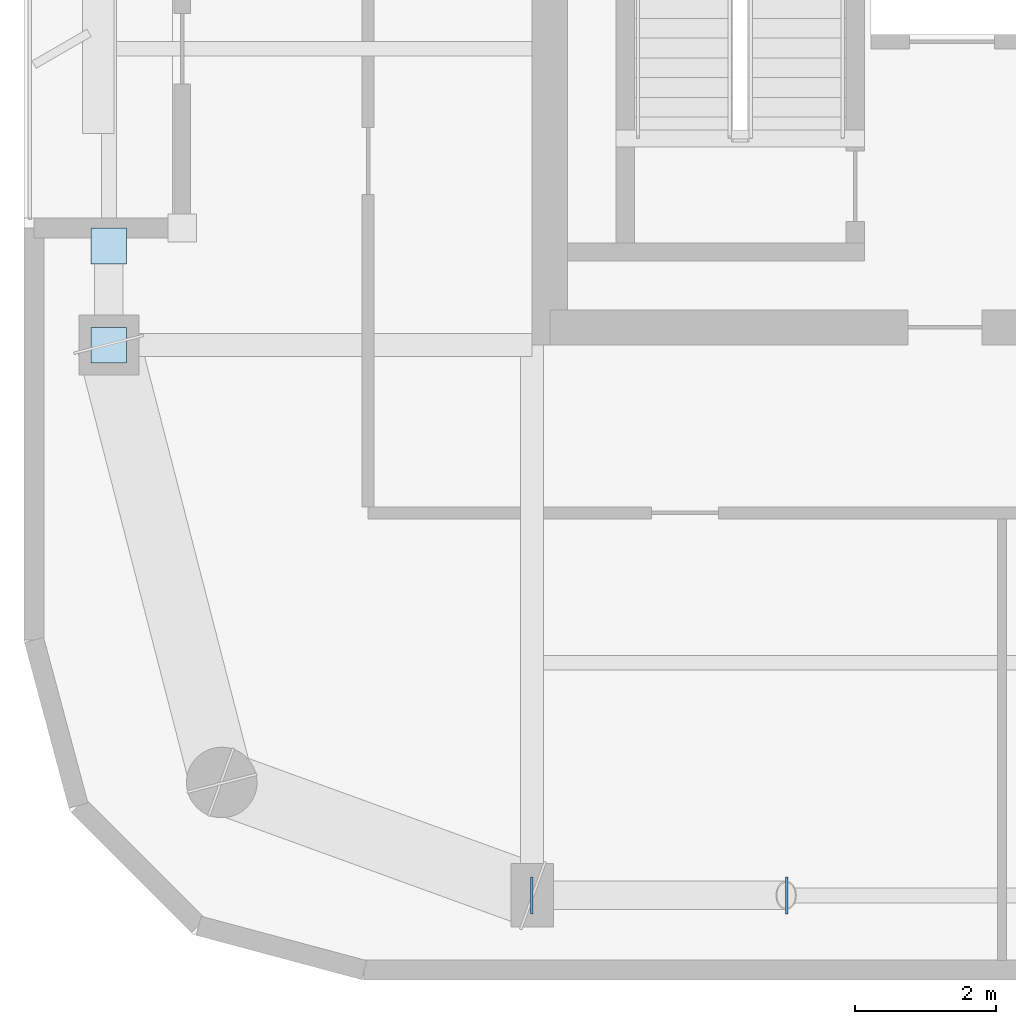
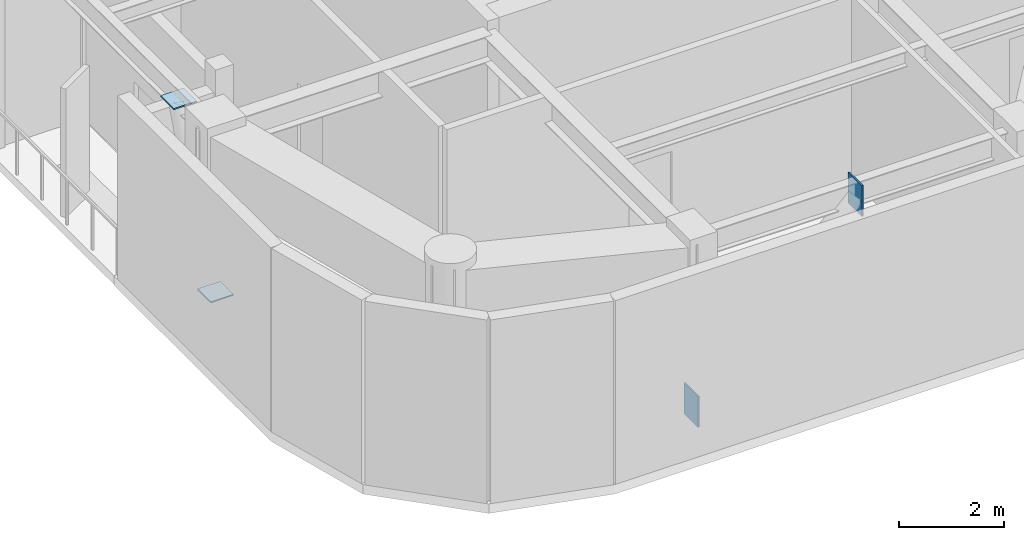
# One storey, part 8 of 16: 4 plates.
"""IFC4 building model written with IfcOpenShell, lengths in metres."""

from ifc_helpers import new_model, si_unit, direction, frame, origin, origin_2d, place, context, subcontext, project, spatial, rectangle, extrude, material, layer, layer_set, type_object, element, save


model = new_model("IFC4")

# Units and contexts
model_context = context("Model", 3, precision=1e-05, world=origin(), true_north=direction((0.0, 1.0)))
body_context = subcontext(model_context, "Body", "Model", "MODEL_VIEW")
ifc_project = project(units=[si_unit("LENGTHUNIT", "METRE"), si_unit("AREAUNIT", "SQUARE_METRE"), si_unit("VOLUMEUNIT", "CUBIC_METRE"), si_unit("PLANEANGLEUNIT", "RADIAN"), si_unit("MASSUNIT", "GRAM", prefix="KILO")], contexts=[model_context])

# Site, building, storey
site_placement = place(None, origin())
site = spatial("IfcSite", under=ifc_project, at=site_placement, CompositionType="ELEMENT")
building_placement = place(site_placement, origin())
building = spatial("IfcBuilding", under=site, at=building_placement, Name="Kiyonajd Concourse Tower", CompositionType="ELEMENT")
storey_placement = place(building_placement, frame((0.0, 0.0, 337.5)))
storey = spatial("IfcBuildingStorey", under=building, at=storey_placement, Name="L85", CompositionType="ELEMENT", Elevation=337.5)

# Plates
ifc_material = material(Name="Steel ASTM A572 Grade 50", Category="steel")
ifc_layer = layer(ifc_material, 0.028076171875)
ifc_layer_set = layer_set([ifc_layer], Name="Steel ASTM A572 Grade 50")
plate_type = type_object("IfcPlateType", Name="PL-CAP-450", PredefinedType="USERDEFINED", material=ifc_layer_set)
for number, where, z_axis, x_axis, name in (
    (1, (32.392333984375, 19.800048828125, -0.06640625), (0.0, 0.0, 1.0), (-1.0, 0.0, 0.0), "L85 Hollow Brace End Cap Plate PBS"),
    (2, (36.0078125, 19.800048828125, 3.5791015625), (0.0, 0.0, 1.0), (1.0, 0.0, 0.0), "L85 Hollow Brace Top Cap Plate PBS"),
):
    element("IfcPlate", number, at=place(storey_placement, frame(where, z_axis=z_axis, x_axis=x_axis)), inside=storey, type_object=plate_type, Name=name, ObjectType="CAP PLATE", PredefinedType="USERDEFINED", context=body_context, shape_type="SweptSolid", body=[
        extrude(rectangle(XDim=0.035888671875, YDim=0.52587890625, at=origin_2d()), origin(), (0.0, 0.0, 1.0), 0.717041015625),
    ])
for number, where, z_axis, x_axis, name in (
    (3, (26.39990234375, 27.595947265625, 0.27587890625), (0.0, 0.0, 1.0), (1.0, 0.0, 0.0), "L85 Hollow Brace End Cap Plate PBW"),
    (4, (26.39990234375, 29.00390625, 3.92626953125), (0.0, 0.0, 1.0), (1.0, 0.0, 0.0), "L85 Hollow Brace Top Cap Plate PBW"),
):
    element("IfcPlate", number, at=place(storey_placement, frame(where, z_axis=z_axis, x_axis=x_axis)), inside=storey, type_object=plate_type, Name=name, ObjectType="CAP PLATE", PredefinedType="USERDEFINED", context=body_context, shape_type="SweptSolid", body=[
        extrude(rectangle(XDim=0.506103515625, YDim=0.506103515625, at=origin_2d()), origin(), (0.0, 0.0, 1.0), 0.028076171875),
    ])

save(model, "model.ifc")
